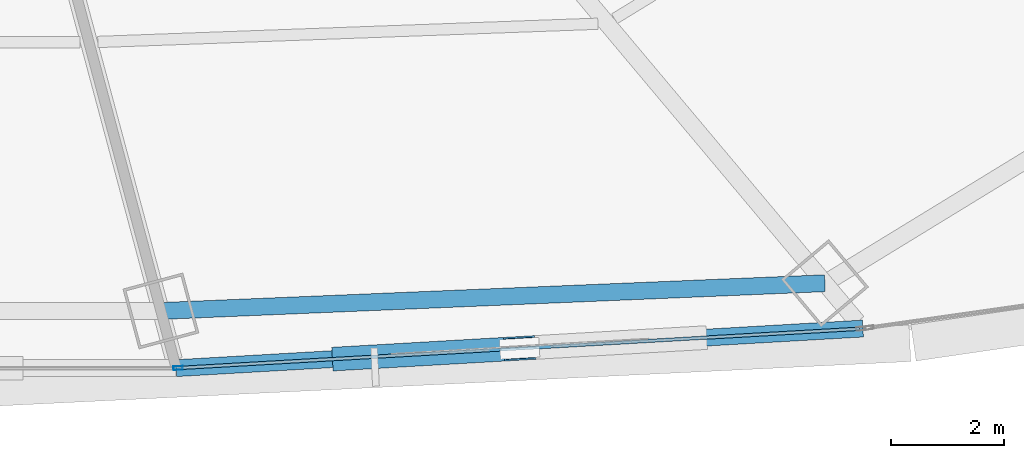
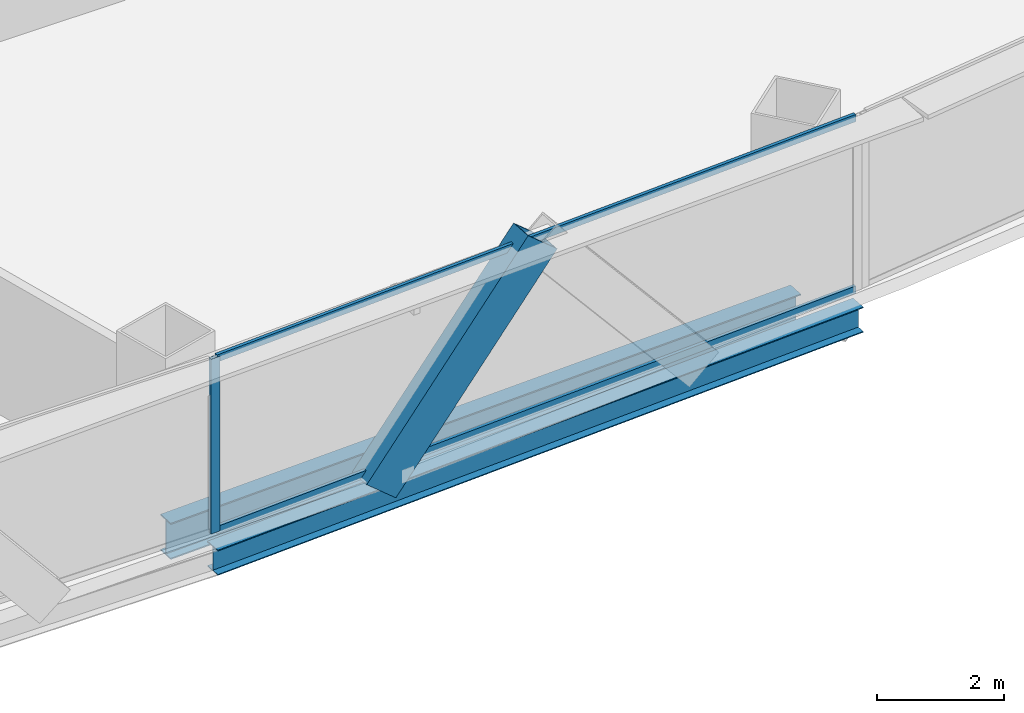
# One storey, part 10 of 40: 4 members, 2 beams, 1 element without a shape of its own.
"""IFC4 building model written with IfcOpenShell, lengths in metres."""

from ifc_helpers import new_model, si_unit, direction, frame, origin, origin_2d, place, context, subcontext, project, spatial, hollow_rectangle, i_section, extrude, source, transform, mapped, material, layer, layer_set, material_profile, profile_set, type_object, element, aggregate, save


model = new_model("IFC4")

# Units and contexts
model_context = context("Model", 3, precision=1e-05, world=origin(), true_north=direction((0.0, 1.0)))
body_context = subcontext(model_context, "Body", "Model", "MODEL_VIEW")
ifc_project = project(units=[si_unit("LENGTHUNIT", "METRE"), si_unit("AREAUNIT", "SQUARE_METRE"), si_unit("VOLUMEUNIT", "CUBIC_METRE"), si_unit("PLANEANGLEUNIT", "RADIAN"), si_unit("MASSUNIT", "GRAM", prefix="KILO"), si_unit("THERMODYNAMICTEMPERATUREUNIT", "KELVIN"), si_unit("POWERUNIT", "WATT")], contexts=[model_context])

# Site, building, storey
site_placement = place(None, origin())
site = spatial("IfcSite", under=ifc_project, at=site_placement, CompositionType="ELEMENT")
building_placement = place(site_placement, origin())
building = spatial("IfcBuilding", under=site, at=building_placement, Name="Yunzhuo Pagoda Commons", CompositionType="ELEMENT")
storey_placement = place(building_placement, frame((0.0, 0.0, 66.699951171875)))
storey = spatial("IfcBuildingStorey", under=building, at=storey_placement, Name="L17", CompositionType="ELEMENT", Elevation=66.699951171875)

# Beams
ifc_material_1 = material(Name="Structural steel Q355B", Category="steel")
ifc_material_profile_1 = material_profile(ifc_material_1, i_section(OverallWidth=0.300048828125, OverallDepth=0.699951171875, WebThickness=0.012939453125, FlangeThickness=0.02392578125, at=origin_2d()), Name="Structural steel Q355B")
ifc_profile_set_1 = profile_set([ifc_material_profile_1], Name="Structural steel Q355B")
beam_type_1 = type_object("IfcBeamType", Name="B-RG1 Beam HN 700x300x13x24", PredefinedType="BEAM", material=ifc_profile_set_1)
shared_shape_1 = source(origin(), body_context, "Body", "SweptSolid", [
    extrude(i_section(OverallWidth=0.300048828125, OverallDepth=0.699951171875, WebThickness=0.012939453125, FlangeThickness=0.02392578125, at=origin_2d()), origin(), (0.0, 0.0, 1.0), 11.7900390625),
])
beam_1_placement = place(storey_placement, frame((53.72021484375, 12.35205078125, -0.60986328125), z_axis=(0.99912739354, 0.041766631146, 0.0), x_axis=(-0.041766631146, 0.99912739354, 0.0)))
element("IfcBeam", 1, at=beam_1_placement, inside=storey, type_object=beam_type_1, Name="L17 column-ring beam 3", PredefinedType="BEAM", context=body_context, shape_type="MappedRepresentation", body=[
    mapped(shared_shape_1, transform((0.0, 0.0, 0.0), scale=1.0)),
])
ifc_material_profile_2 = material_profile(ifc_material_1, i_section(OverallWidth=0.300048828125, OverallDepth=0.488037109375, WebThickness=0.010986328125, FlangeThickness=0.01806640625, at=origin_2d()), Name="Structural steel Q355B")
ifc_profile_set_2 = profile_set([ifc_material_profile_2], Name="Structural steel Q355B")
beam_type_2 = type_object("IfcBeamType", Name="B-SP1 Beam HM 488x300x11x18", PredefinedType="BEAM", material=ifc_profile_set_2)
shared_shape_2 = source(origin(), body_context, "Body", "SweptSolid", [
    extrude(i_section(OverallWidth=0.300048828125, OverallDepth=0.488037109375, WebThickness=0.010986328125, FlangeThickness=0.01806640625, at=origin_2d()), origin(), (0.0, 0.0, 1.0), 12.203125),
])
beam_2_placement = place(storey_placement, frame((53.991943359375, 11.337890625, -0.50390625), z_axis=(0.998343280555, 0.057538631989, 0.0), x_axis=(-0.057538631989, 0.998343280555, 0.0)))
element("IfcBeam", 2, at=beam_2_placement, inside=storey, type_object=beam_type_2, Name="L17 facade edge spandrel beam F1.3", PredefinedType="BEAM", context=body_context, shape_type="MappedRepresentation", body=[
    mapped(shared_shape_2, transform((0.0, 0.0, 0.0), scale=1.0)),
])

# Member
ifc_material_2 = material(Name="Structural steel Q420B", Category="steel")
ifc_material_profile_3 = material_profile(ifc_material_2, hollow_rectangle(XDim=0.419921875, YDim=0.719970703125, WallThickness=0.028076171875, at=origin_2d()), Name="Structural steel Q420B")
ifc_profile_set_3 = profile_set([ifc_material_profile_3], Name="Structural steel Q420B")
member_type_1 = type_object("IfcMemberType", Name="M-DL1 Brace BOX 720x420x28", PredefinedType="BRACE", material=ifc_profile_set_3)
shared_shape_3 = source(origin(), body_context, "Body", "SweptSolid", [
    extrude(hollow_rectangle(XDim=0.419921875, YDim=0.719970703125, WallThickness=0.028076171875, at=origin_2d()), origin(), (0.0, 0.0, 1.0), 4.741943359375),
])
member_1_placement = place(storey_placement, frame((57.03759765625, 11.51318359375, -0.260009765625), z_axis=(0.642328525718, 0.03706929613, 0.765532450216), x_axis=(-0.057614940154, 0.998338879675, 0.0)))
element("IfcMember", 3, at=member_1_placement, inside=storey, type_object=member_type_1, Name="L17 facade diamond brace F1.3L", PredefinedType="BRACE", context=body_context, shape_type="MappedRepresentation", body=[
    mapped(shared_shape_3, transform((0.0, 0.0, 0.0), scale=1.0)),
])

# Curtain wall, members
ifc_material_3 = material(Name="Anodized aluminium 6063-T6", Category="aluminium")
ifc_layer = layer(ifc_material_3, 0.1650390625)
ifc_layer_set = layer_set([ifc_layer], Name="Anodized aluminium 6063-T6")
curtain_wall_type = type_object("IfcCurtainWallType", Name="CW-LOW Low-Zone Ribbon Curtain Wall", PredefinedType="NOTDEFINED", material=ifc_layer_set)
curtain_wall_placement = place(storey_placement, origin())
curtain_wall = element("IfcCurtainWall", 4, at=curtain_wall_placement, inside=storey, type_object=curtain_wall_type, Name="L17 curtain wall CW-L17-F1B4", PredefinedType="NOTDEFINED")
ifc_material_profile_4 = material_profile(ifc_material_3, hollow_rectangle(XDim=0.06494140625, YDim=0.1650390625, WallThickness=0.00390625, at=origin_2d()), Name="Anodized aluminium 6063-T6")
ifc_profile_set_4 = profile_set([ifc_material_profile_4], Name="Anodized aluminium 6063-T6")
member_type_2 = type_object("IfcMemberType", Name="CW-LOW-M Mullion RHS 165x65x4", PredefinedType="MULLION", material=ifc_profile_set_4)
shared_shape_4 = source(origin(), body_context, "Body", "SweptSolid", [
    extrude(hollow_rectangle(XDim=0.06494140625, YDim=0.1650390625, WallThickness=0.00390625, at=origin_2d()), origin(), (0.0, 0.0, 1.0), 3.3701171875),
])
member_2_placement = place(storey_placement, frame((54.0244140625, 11.339599609375, 0.0), z_axis=(0.0, 0.0, 1.0), x_axis=(-0.057542190557, 0.998343075454, 0.0)))
member_2 = element("IfcMember", 5, at=member_2_placement, type_object=member_type_2, Name="CW mullion 1", PredefinedType="MULLION", context=body_context, shape_type="MappedRepresentation", body=[
    mapped(shared_shape_4, transform((0.0, 0.0, 0.0), scale=1.0)),
])
ifc_material_profile_5 = material_profile(ifc_material_3, hollow_rectangle(XDim=0.06005859375, YDim=0.139892578125, WallThickness=0.00341796875, at=origin_2d()), Name="Anodized aluminium 6063-T6")
ifc_profile_set_5 = profile_set([ifc_material_profile_5], Name="Anodized aluminium 6063-T6")
member_type_3 = type_object("IfcMemberType", Name="CW-LOW-T Transom RHS 140x60x3.5", PredefinedType="USERDEFINED", material=ifc_profile_set_5)
shared_shape_5 = source(origin(), body_context, "Body", "SweptSolid", [
    extrude(hollow_rectangle(XDim=0.06005859375, YDim=0.139892578125, WallThickness=0.00341796875, at=origin_2d()), origin(), (0.0, 0.0, 1.0), 12.0732421875),
])
member_3_placement = place(storey_placement, frame((54.056884765625, 11.341552734375, 0.0302734375), z_axis=(0.998342579206, 0.057550799684, 0.0), x_axis=(-0.057550799684, 0.998342579206, 0.0)))
member_3 = element("IfcMember", 6, at=member_3_placement, type_object=member_type_3, Name="CW transom 1.1", ObjectType="TRANSOM", PredefinedType="USERDEFINED", context=body_context, shape_type="MappedRepresentation", body=[
    mapped(shared_shape_5, transform((0.0, 0.0, 0.0), scale=1.0)),
])
member_4_placement = place(storey_placement, frame((54.056884765625, 11.341552734375, 3.340087890625), z_axis=(0.998342579206, 0.057550799684, 0.0), x_axis=(-0.057550799684, 0.998342579206, 0.0)))
member_4 = element("IfcMember", 7, at=member_4_placement, type_object=member_type_3, Name="CW transom 1.2", ObjectType="TRANSOM", PredefinedType="USERDEFINED", context=body_context, shape_type="MappedRepresentation", body=[
    mapped(shared_shape_5, transform((0.0, 0.0, 0.0), scale=1.0)),
])
aggregate(curtain_wall, [member_2, member_3, member_4])

save(model, "model.ifc")
